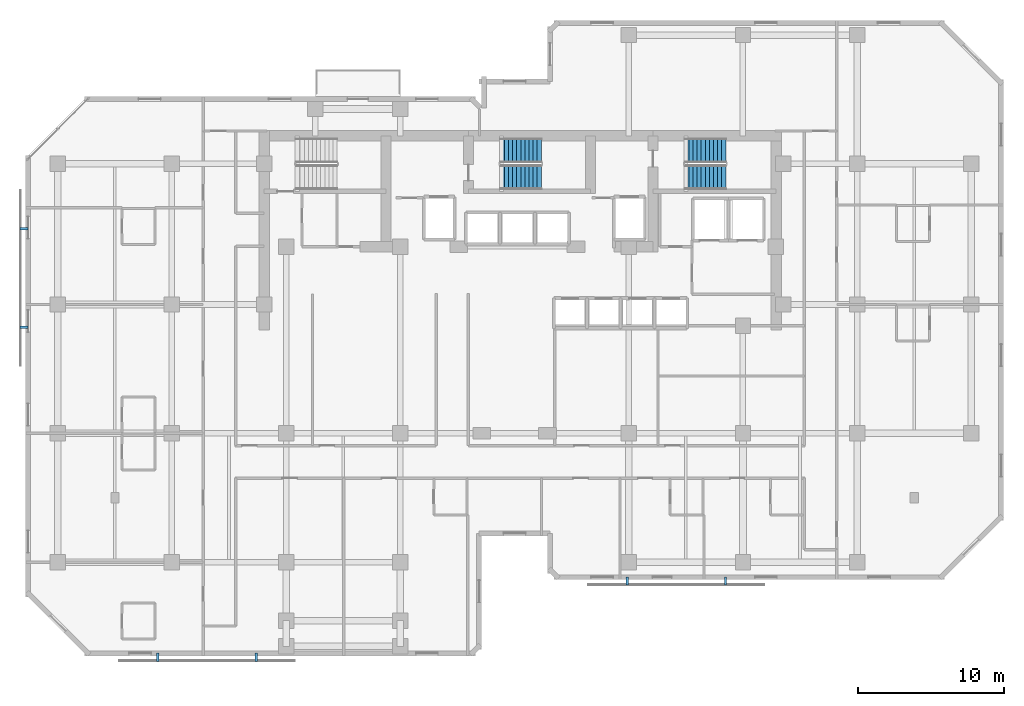
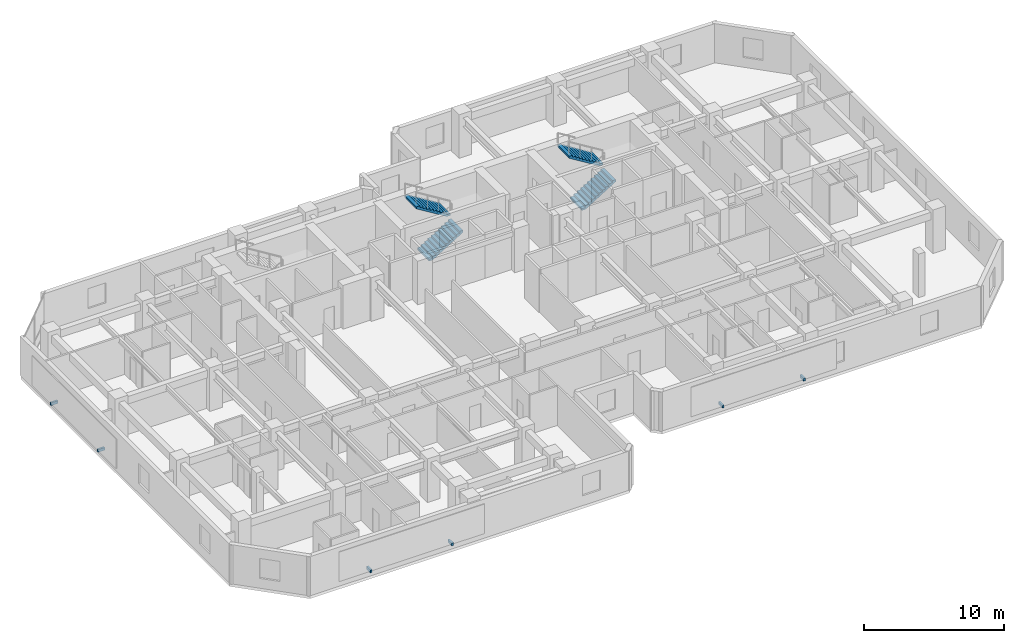
# One storey, part 9 of 11: 6 discrete accessories, 4 stair flights, 2 elements without a shape of their own.
"""IFC4 building model written with IfcOpenShell, lengths in metres."""

from ifc_helpers import new_model, si_unit, direction, frame, origin, origin_2d, place, context, subcontext, project, spatial, polyline, rectangle, outline, extrude, material, type_object, element, aggregate, save


model = new_model("IFC4")

# Units and contexts
model_context = context("Model", 3, precision=1e-05, world=origin(), true_north=direction((0.0, 1.0)))
body_context = subcontext(model_context, "Body", "Model", "MODEL_VIEW")
ifc_project = project(units=[si_unit("LENGTHUNIT", "METRE"), si_unit("AREAUNIT", "SQUARE_METRE"), si_unit("VOLUMEUNIT", "CUBIC_METRE"), si_unit("PLANEANGLEUNIT", "RADIAN"), si_unit("MASSUNIT", "GRAM", prefix="KILO")], contexts=[model_context])

# Site, building, storey
site_placement = place(None, origin())
site = spatial("IfcSite", under=ifc_project, at=site_placement, CompositionType="ELEMENT")
building_placement = place(site_placement, origin())
building = spatial("IfcBuilding", under=site, at=building_placement, Name="Kestravale Grand Hotel", CompositionType="ELEMENT")
storey_placement = place(building_placement, frame((0.0, 0.0, 180.199951171875)))
storey = spatial("IfcBuildingStorey", under=building, at=storey_placement, Name="L45", CompositionType="ELEMENT", Elevation=180.199951171875)

# Stair, stair flights
ifc_material_1 = material(Name="Concrete f'c 45 MPa", Category="concrete")
stair_type = type_object("IfcStairType", Name="ST-CORE-380", PredefinedType="HALF_TURN_STAIR", material=ifc_material_1)
stair_1_placement = place(storey_placement, origin())
stair_1 = element("IfcStair", 1, at=stair_1_placement, inside=storey, type_object=stair_type, Name="L45 ST-2", PredefinedType="HALF_TURN_STAIR")
ifc_material_2 = material(Name="Concrete f'c 45 MPa", Category="concrete")
stair_flight_type = type_object("IfcStairFlightType", Name="STF-CORE-380", PredefinedType="STRAIGHT", material=ifc_material_2)
stair_flight_1_placement = place(storey_placement, frame((38.030029296875, 37.489990234375, 0.0), z_axis=(0.0, 0.0, 1.0), x_axis=(1.0, 0.0, 0.0)))
stair_flight_1 = element("IfcStairFlight", 2, at=stair_flight_1_placement, type_object=stair_flight_type, Name="ST-2 flight 1", NumberOfRisers=11, NumberOfTreads=10, PredefinedType="STRAIGHT", RiserHeight=0.172727273, TreadLength=0.28, context=body_context, shape_type="SweptSolid", body=[
    extrude(outline(polyline([(0.0, 0.0), (0.0, 0.172607421875), (0.280029296875, 0.172607421875), (0.280029296875, 0.345458984375), (0.56005859375, 0.345458984375), (0.56005859375, 0.51806640625), (0.840087890625, 0.51806640625), (0.840087890625, 0.69091796875), (1.1201171875, 0.69091796875), (1.1201171875, 0.863525390625), (1.39990234375, 0.863525390625), (1.39990234375, 1.036376953125), (1.679931640625, 1.036376953125), (1.679931640625, 1.208984375), (1.9599609375, 1.208984375), (1.9599609375, 1.3818359375), (2.239990234375, 1.3818359375), (2.239990234375, 1.554443359375), (2.52001953125, 1.554443359375), (2.52001953125, 1.727294921875), (2.800048828125, 1.727294921875), (2.800048828125, 1.89990234375), (2.800048828125, 1.551025390625), (0.285400390625, 0.0), (0.0, 0.0)])), frame((0.0, 0.83984375, 0.0), z_axis=(0.0, -1.0, 0.0), x_axis=(1.0, 0.0, 0.0)), (0.0, 0.0, 1.0), 1.679931640625),
])
stair_flight_2_placement = place(storey_placement, frame((40.830078125, 39.320068359375, 1.900146484375), z_axis=(0.0, 0.0, 1.0), x_axis=(-1.0, 0.0, 0.0)))
stair_flight_2 = element("IfcStairFlight", 3, at=stair_flight_2_placement, type_object=stair_flight_type, Name="ST-2 flight 2", NumberOfRisers=11, NumberOfTreads=10, PredefinedType="STRAIGHT", RiserHeight=0.172727273, TreadLength=0.28, context=body_context, shape_type="SweptSolid", body=[
    extrude(outline(polyline([(0.0, 0.0), (0.0, 0.172607421875), (0.280029296875, 0.172607421875), (0.280029296875, 0.345458984375), (0.56005859375, 0.345458984375), (0.56005859375, 0.51806640625), (0.840087890625, 0.51806640625), (0.840087890625, 0.69091796875), (1.1201171875, 0.69091796875), (1.1201171875, 0.863525390625), (1.39990234375, 0.863525390625), (1.39990234375, 1.036376953125), (1.679931640625, 1.036376953125), (1.679931640625, 1.208984375), (1.9599609375, 1.208984375), (1.9599609375, 1.3818359375), (2.239990234375, 1.3818359375), (2.239990234375, 1.554443359375), (2.52001953125, 1.554443359375), (2.52001953125, 1.727294921875), (2.800048828125, 1.727294921875), (2.800048828125, 1.89990234375), (2.800048828125, 1.551025390625), (0.285400390625, 0.0), (0.0, 0.0)])), frame((0.0, 0.83984375, 0.0), z_axis=(0.0, -1.0, 0.0), x_axis=(1.0, 0.0, 0.0)), (0.0, 0.0, 1.0), 1.679931640625),
])
aggregate(stair_1, [stair_flight_1, stair_flight_2])

stair_2_placement = place(storey_placement, origin())
stair_2 = element("IfcStair", 4, at=stair_2_placement, inside=storey, type_object=stair_type, Name="L45 ST-3", PredefinedType="HALF_TURN_STAIR")
stair_flight_3_placement = place(storey_placement, frame((50.6298828125, 37.489990234375, 0.0), z_axis=(0.0, 0.0, 1.0), x_axis=(1.0, 0.0, 0.0)))
stair_flight_3 = element("IfcStairFlight", 5, at=stair_flight_3_placement, type_object=stair_flight_type, Name="ST-3 flight 1", NumberOfRisers=11, NumberOfTreads=10, PredefinedType="STRAIGHT", RiserHeight=0.172727273, TreadLength=0.28, context=body_context, shape_type="SweptSolid", body=[
    extrude(outline(polyline([(0.0, 0.0), (0.0, 0.172607421875), (0.280029296875, 0.172607421875), (0.280029296875, 0.345458984375), (0.56005859375, 0.345458984375), (0.56005859375, 0.51806640625), (0.840087890625, 0.51806640625), (0.840087890625, 0.69091796875), (1.1201171875, 0.69091796875), (1.1201171875, 0.863525390625), (1.39990234375, 0.863525390625), (1.39990234375, 1.036376953125), (1.679931640625, 1.036376953125), (1.679931640625, 1.208984375), (1.9599609375, 1.208984375), (1.9599609375, 1.3818359375), (2.239990234375, 1.3818359375), (2.239990234375, 1.554443359375), (2.52001953125, 1.554443359375), (2.52001953125, 1.727294921875), (2.800048828125, 1.727294921875), (2.800048828125, 1.89990234375), (2.800048828125, 1.551025390625), (0.285400390625, 0.0), (0.0, 0.0)])), frame((0.0, 0.83984375, 0.0), z_axis=(0.0, -1.0, 0.0), x_axis=(1.0, 0.0, 0.0)), (0.0, 0.0, 1.0), 1.679931640625),
])
stair_flight_4_placement = place(storey_placement, frame((53.429931640625, 39.320068359375, 1.900146484375), z_axis=(0.0, 0.0, 1.0), x_axis=(-1.0, 0.0, 0.0)))
stair_flight_4 = element("IfcStairFlight", 6, at=stair_flight_4_placement, type_object=stair_flight_type, Name="ST-3 flight 2", NumberOfRisers=11, NumberOfTreads=10, PredefinedType="STRAIGHT", RiserHeight=0.172727273, TreadLength=0.28, context=body_context, shape_type="SweptSolid", body=[
    extrude(outline(polyline([(0.0, 0.0), (0.0, 0.172607421875), (0.280029296875, 0.172607421875), (0.280029296875, 0.345458984375), (0.56005859375, 0.345458984375), (0.56005859375, 0.51806640625), (0.840087890625, 0.51806640625), (0.840087890625, 0.69091796875), (1.1201171875, 0.69091796875), (1.1201171875, 0.863525390625), (1.39990234375, 0.863525390625), (1.39990234375, 1.036376953125), (1.679931640625, 1.036376953125), (1.679931640625, 1.208984375), (1.9599609375, 1.208984375), (1.9599609375, 1.3818359375), (2.239990234375, 1.3818359375), (2.239990234375, 1.554443359375), (2.52001953125, 1.554443359375), (2.52001953125, 1.727294921875), (2.800048828125, 1.727294921875), (2.800048828125, 1.89990234375), (2.800048828125, 1.551025390625), (0.285400390625, 0.0), (0.0, 0.0)])), frame((0.0, 0.83984375, 0.0), z_axis=(0.0, -1.0, 0.0), x_axis=(1.0, 0.0, 0.0)), (0.0, 0.0, 1.0), 1.679931640625),
])
aggregate(stair_2, [stair_flight_3, stair_flight_4])

# Discrete accessories
ifc_material_3 = material(Name="Steel ASTM A572 Grade 50 hot-dip galvanised bracket", Category="steel")
discrete_accessory_type = type_object("IfcDiscreteAccessoryType", Name="ACC-BRK-STL", PredefinedType="BRACKET", material=ifc_material_3)
for number, where, z_axis, x_axis, name in (
    (7, (14.639892578125, 4.705078125, 0.56005859375), (0.0, 0.0, 1.0), (1.0, 0.0, 0.0), "L45 solar screen standoff bracket 1"),
    (8, (21.360107421875, 4.705078125, 0.56005859375), (0.0, 0.0, 1.0), (1.0, 0.0, 0.0), "L45 solar screen standoff bracket 2"),
    (9, (46.68994140625, 9.905029296875, 0.56005859375), (0.0, 0.0, 1.0), (1.0, 0.0, 0.0), "L45 solar screen standoff bracket 1"),
    (10, (53.409912109375, 9.905029296875, 0.56005859375), (0.0, 0.0, 1.0), (1.0, 0.0, 0.0), "L45 solar screen standoff bracket 2"),
    (11, (5.5048828125, 33.9599609375, 0.56005859375), (0.0, 0.0, 1.0), (0.0, -1.0, 0.0), "L45 solar screen standoff bracket 1"),
    (12, (5.5048828125, 27.239990234375, 0.56005859375), (0.0, 0.0, 1.0), (0.0, -1.0, 0.0), "L45 solar screen standoff bracket 2"),
):
    element("IfcDiscreteAccessory", number, at=place(storey_placement, frame(where, z_axis=z_axis, x_axis=x_axis)), inside=storey, type_object=discrete_accessory_type, Name=name, PredefinedType="BRACKET", context=body_context, shape_type="SweptSolid", body=[
        extrude(rectangle(XDim=0.159912109375, YDim=0.56005859375, at=origin_2d()), origin(), (0.0, 0.0, 1.0), 0.239990234375),
    ])

save(model, "model.ifc")
